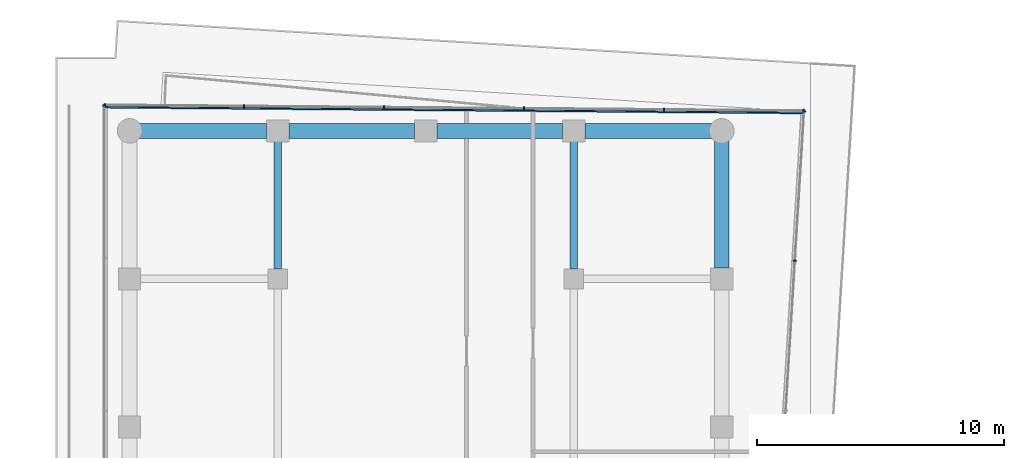
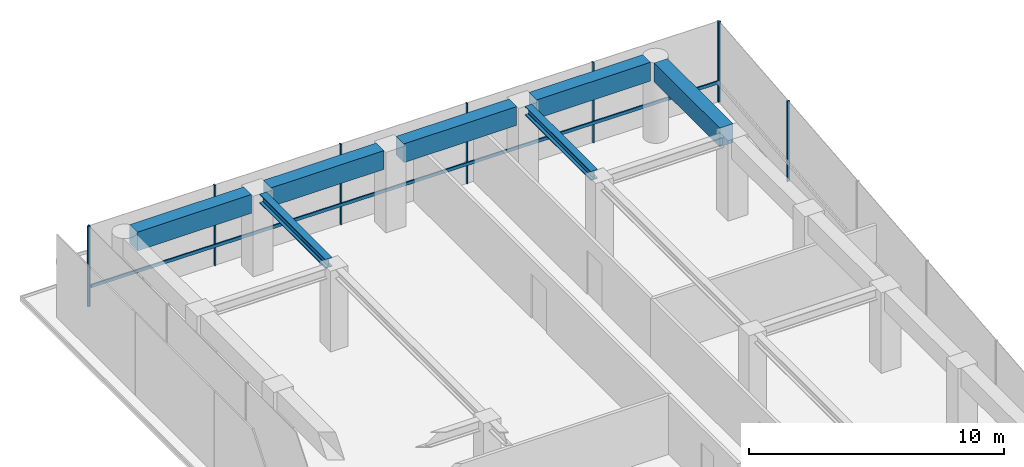
# One storey, part 18 of 24: 10 members, 7 beams, 3 elements without a shape of their own.
"""IFC4 building model written with IfcOpenShell, lengths in metres."""

import ifcopenshell
import ifcopenshell.guid

model = None  # the IFC model being written
_history = None  # IfcOwnerHistory: only IFC2X3 demands one
_inside = {}  # id of a spatial element -> (the spatial element, [elements in it])
_under = {}  # id of a project, library or spatial element -> (it, [spatial elements below it])
_declared = {}  # id of a project -> (the project, [libraries it declares])
_typed = {}  # id of a type object -> (the type object, [elements of that type])
_made_of = {}  # id of a material, layer set ... -> (it, [elements and type objects made of it])


def new_model(schema):
    """Start an empty IFC model of exactly this schema.

    Asked for "IFC4X3", IfcOpenShell would pick the latest addendum, in which some entities
    have other attributes; the version numbers below select the first issue.
    IFC2X3 requires an IfcOwnerHistory on every rooted entity: one is made here for all.
    """
    global model, _history
    if schema == "IFC4X3":
        model = ifcopenshell.file(schema_version=(4, 3, 0, 0))
    else:
        model = ifcopenshell.file(schema=schema)
    _inside.clear()
    _under.clear()
    _declared.clear()
    _typed.clear()
    _made_of.clear()
    _history = None
    if model.schema == "IFC2X3":
        org = make("IfcOrganization", Name="unknown")
        user = make(
            "IfcPersonAndOrganization",
            ThePerson=make("IfcPerson", FamilyName="unknown"),
            TheOrganization=org,
        )
        app = make(
            "IfcApplication",
            ApplicationDeveloper=org,
            Version="unknown",
            ApplicationFullName="unknown",
            ApplicationIdentifier="unknown",
        )
        _history = make(
            "IfcOwnerHistory",
            OwningUser=user,
            OwningApplication=app,
            ChangeAction="ADDED",
            CreationDate=0,
        )
    return model


def make(cls, **values):
    """One entity of the class cls with the attributes given. An attribute that is None is left unset."""
    return model.create_entity(
        cls, **{name: value for name, value in values.items() if value is not None}
    )


def rooted(cls, **values):
    """An entity with a GlobalId (a new one), such as an element, a storey or a relation."""
    return make(cls, GlobalId=ifcopenshell.guid.new(), OwnerHistory=_history, **values)


def si_unit(unit_type, name, prefix=None):
    """IfcSIUnit, for example si_unit("LENGTHUNIT", "METRE", prefix="MILLI")."""
    return make("IfcSIUnit", UnitType=unit_type, Prefix=prefix, Name=name)


def assignment(units):
    """IfcUnitAssignment: the units of a project."""
    return None if units is None else make("IfcUnitAssignment", Units=units)


def point(xyz):
    """IfcCartesianPoint."""
    return None if xyz is None else make("IfcCartesianPoint", Coordinates=xyz)


def direction(xyz):
    """IfcDirection."""
    return None if xyz is None else make("IfcDirection", DirectionRatios=xyz)


def frame(location, z_axis=None, x_axis=None):
    """IfcAxis2Placement3D, a coordinate frame: its origin and axes. An axis left out is left unset."""
    return make(
        "IfcAxis2Placement3D",
        Location=point(location),
        Axis=direction(z_axis),
        RefDirection=direction(x_axis),
    )


def frame_2d(location, x_axis=None):
    """IfcAxis2Placement2D, a coordinate frame in the plane: its origin and x axis."""
    return make(
        "IfcAxis2Placement2D", Location=point(location), RefDirection=direction(x_axis)
    )


def origin():
    """The frame at (0, 0, 0) with its axes left unset."""
    return frame((0.0, 0.0, 0.0))


def origin_2d():
    """The frame at (0, 0) in the plane with its x axis left unset."""
    return frame_2d((0.0, 0.0))


def place(relative_to, where):
    """IfcLocalPlacement: puts the frame where relative to a parent placement (None: the world)."""
    return make(
        "IfcLocalPlacement", PlacementRelTo=relative_to, RelativePlacement=where
    )


def context(
    kind, dimensions, precision=None, world=None, true_north=None, identifier=None
):
    """IfcGeometricRepresentationContext, for example the 3D "Model" context."""
    return make(
        "IfcGeometricRepresentationContext",
        ContextIdentifier=identifier,
        ContextType=kind,
        CoordinateSpaceDimension=dimensions,
        Precision=precision,
        WorldCoordinateSystem=world,
        TrueNorth=true_north,
    )


def subcontext(parent, identifier, kind, view, scale=None):
    """IfcGeometricRepresentationSubContext, for example "Body" below "Model"."""
    return make(
        "IfcGeometricRepresentationSubContext",
        ContextIdentifier=identifier,
        ContextType=kind,
        ParentContext=parent,
        TargetScale=scale,
        TargetView=view,
    )


def project(units=None, contexts=None):
    """IfcProject with its units and contexts."""
    return rooted(
        "IfcProject",
        Name="project",
        RepresentationContexts=contexts,
        UnitsInContext=assignment(units),
    )


def spatial(cls, under=None, at=None, **own):
    """A site, building, storey or space (cls), placed at a placement, below another one or the project."""
    s = rooted(cls, ObjectPlacement=at, **own)
    if under is not None:
        _under.setdefault(under.id(), (under, []))[1].append(s)
    return s


def profile(cls, at=None, kind="AREA", **sizes):
    """A parametric profile (cls). Its sizes go by their IFC names, for example OverallWidth=200.0."""
    return make(cls, ProfileType=kind, Position=at, **sizes)


def rectangle(**sizes):
    """IfcRectangleProfileDef."""
    return profile("IfcRectangleProfileDef", **sizes)


def i_section(**sizes):
    """IfcIShapeProfileDef."""
    return profile("IfcIShapeProfileDef", **sizes)


def extrude(swept, where, along, depth):
    """IfcExtrudedAreaSolid: the profile swept, set in the frame where, extruded along a direction by depth."""
    return make(
        "IfcExtrudedAreaSolid",
        SweptArea=swept,
        Position=where,
        ExtrudedDirection=direction(along),
        Depth=depth,
    )


def shape(context_of_items, identifier, shape_type, items):
    """IfcShapeRepresentation: the items that make up one representation, for example the "Body"."""
    return make(
        "IfcShapeRepresentation",
        ContextOfItems=context_of_items,
        RepresentationIdentifier=identifier,
        RepresentationType=shape_type,
        Items=items,
    )


def material(Name=None, Category=None):
    """IfcMaterial."""
    return make("IfcMaterial", Name=Name, Category=Category)


def layer(
    of_material, thickness, ventilated=None, Name=None, Category=None, Priority=None
):
    """IfcMaterialLayer: one layer of a wall or slab, of a material (None: an air gap)."""
    return make(
        "IfcMaterialLayer",
        Material=of_material,
        LayerThickness=thickness,
        IsVentilated=ventilated,
        Name=Name,
        Category=Category,
        Priority=Priority,
    )


def layer_set(layers, Name=None):
    """IfcMaterialLayerSet."""
    return make("IfcMaterialLayerSet", MaterialLayers=layers, LayerSetName=Name)


def material_profile(
    of_material, cross_section, Name=None, Category=None, Priority=None
):
    """IfcMaterialProfile: a cross section and its material."""
    return make(
        "IfcMaterialProfile",
        Name=Name,
        Material=of_material,
        Profile=cross_section,
        Priority=Priority,
        Category=Category,
    )


def profile_set(profiles, Name=None, composite=None):
    """IfcMaterialProfileSet."""
    return make(
        "IfcMaterialProfileSet",
        Name=Name,
        MaterialProfiles=profiles,
        CompositeProfile=composite,
    )


def made_of(thing, what):
    """Note that an element or type object is made of a material, layer set ...; save() writes the relation."""
    if what is not None:
        _made_of.setdefault(what.id(), (what, []))[1].append(thing)
    return thing


def type_object(cls, material=None, **own):
    """A type object (cls), such as IfcWallType, which elements share."""
    return made_of(rooted(cls, **own), material)


def element(
    cls,
    number,
    at=None,
    inside=None,
    cuts=None,
    type_object=None,
    material=None,
    context=None,
    identifier="Body",
    shape_type=None,
    held_by="IfcProductDefinitionShape",
    body=None,
    shapes=None,
    **own,
):
    """One element of the class cls, such as IfcWall. Its Tag is "e" and its number.

    at: its placement. inside: the storey or other place that contains it. cuts: it is an
    opening in that element (IfcRelVoidsElement). A single representation is given by context,
    identifier, shape_type and body (its items); several are given by shapes. held_by: the class
    of the entity that holds the representations. save() writes the other relations.
    """
    e = rooted(cls, Tag="e%d" % number, ObjectPlacement=at, **own)
    if body is not None:
        shapes = [shape(context, identifier, shape_type, body)]
    if shapes is not None:
        e.Representation = make(held_by, Representations=shapes)
    if inside is not None:
        _inside.setdefault(inside.id(), (inside, []))[1].append(e)
    if cuts is not None:
        rooted(
            "IfcRelVoidsElement", RelatingBuildingElement=cuts, RelatedOpeningElement=e
        )
    if type_object is not None:
        _typed.setdefault(type_object.id(), (type_object, []))[1].append(e)
    return made_of(e, material)


def aggregate(whole, parts):
    """IfcRelAggregates: a whole, such as a stair, and the parts it consists of."""
    return rooted("IfcRelAggregates", RelatingObject=whole, RelatedObjects=parts)


def save(model, path):
    """Write the relations noted so far, then the file.

    IfcRelAggregates (storeys below a building ...), IfcRelContainedInSpatialStructure (elements
    in a storey), IfcRelDefinesByType, IfcRelAssociatesMaterial and IfcRelDeclares: one each for
    every whole, place, type object, material and project.
    """
    for whole, parts in _under.values():
        aggregate(whole, parts)
    for where, things in _inside.values():
        rooted(
            "IfcRelContainedInSpatialStructure",
            RelatedElements=things,
            RelatingStructure=where,
        )
    for kind, things in _typed.values():
        rooted("IfcRelDefinesByType", RelatedObjects=things, RelatingType=kind)
    for what, things in _made_of.values():
        rooted("IfcRelAssociatesMaterial", RelatedObjects=things, RelatingMaterial=what)
    for by, libraries in _declared.values():
        rooted("IfcRelDeclares", RelatingContext=by, RelatedDefinitions=libraries)
    model.write(path)


model = new_model("IFC4")

# Units and contexts
model_context = context("Model", 3, precision=1e-05, world=origin(), true_north=direction((0.0, 1.0)))
body_context = subcontext(model_context, "Body", "Model", "MODEL_VIEW")
ifc_project = project(units=[si_unit("LENGTHUNIT", "METRE"), si_unit("AREAUNIT", "SQUARE_METRE"), si_unit("VOLUMEUNIT", "CUBIC_METRE"), si_unit("PLANEANGLEUNIT", "RADIAN"), si_unit("MASSUNIT", "GRAM", prefix="KILO")], contexts=[model_context])

# Site, building, storey
site_placement = place(None, origin())
site = spatial("IfcSite", under=ifc_project, at=site_placement, CompositionType="ELEMENT")
building_placement = place(site_placement, origin())
building = spatial("IfcBuilding", under=site, at=building_placement, Name="Welwitschia Terrace Campus", CompositionType="ELEMENT")
storey_placement = place(building_placement, frame((0.0, 0.0, 125.60009765625)))
storey = spatial("IfcBuildingStorey", under=building, at=storey_placement, Name="L28", CompositionType="ELEMENT", Elevation=125.60009765625)

# Beams
ifc_material_1 = material(Name="Steel S355", Category="steel")
ifc_material_profile_1 = material_profile(ifc_material_1, i_section(OverallWidth=0.306884765625, OverallDepth=0.431884765625, WebThickness=0.02099609375, FlangeThickness=0.0400390625, FilletRadius=0.027099609375, at=origin_2d()))
ifc_profile_set_1 = profile_set([ifc_material_profile_1], Name="Steel S355")
beam_type_1 = type_object("IfcBeamType", Name="Interior girder HE 400 M", PredefinedType="BEAM", material=ifc_profile_set_1)
for number, where, z_axis, x_axis, name in (
    (1, (6.0, 64.400390625, 3.6337890625), (0.0, 1.0, 0.0), (-1.0, 0.0, 0.0), "Girder GB3"),
    (2, (18.0, 64.400390625, 3.6337890625), (0.0, 1.0, 0.0), (-1.0, 0.0, 0.0), "Girder GB3"),
):
    element("IfcBeam", number, at=place(storey_placement, frame(where, z_axis=z_axis, x_axis=x_axis)), inside=storey, type_object=beam_type_1, Name=name, PredefinedType="BEAM", context=body_context, shape_type="SweptSolid", body=[
        extrude(i_section(OverallWidth=0.306884765625, OverallDepth=0.431884765625, WebThickness=0.02099609375, FlangeThickness=0.0400390625, FilletRadius=0.027099609375, at=origin_2d()), origin(), (0.0, 0.0, 1.0), 5.1591796875),
    ])

# Curtain wall, members
ifc_material_2 = material(Name="Bronze anodised aluminium", Category="aluminium")
ifc_layer = layer(ifc_material_2, 0.1201171875)
ifc_layer_set = layer_set([ifc_layer], Name="Bronze anodised aluminium")
curtain_wall_type = type_object("IfcCurtainWallType", Name="Curtain wall CW2 tower 6000", PredefinedType="NOTDEFINED", material=ifc_layer_set)
curtain_wall_1_placement = place(storey_placement, origin())
curtain_wall_1 = element("IfcCurtainWall", 3, at=curtain_wall_1_placement, inside=storey, type_object=curtain_wall_type, Name="CW L28.10.0", PredefinedType="NOTDEFINED")
ifc_material_3 = material(Name="Bronze anodised aluminium", Category="aluminium")
ifc_material_profile_2 = material_profile(ifc_material_3, rectangle(XDim=0.1201171875, YDim=0.06005859375, at=origin_2d()))
ifc_profile_set_2 = profile_set([ifc_material_profile_2], Name="Bronze anodised aluminium")
member_type_1 = type_object("IfcMemberType", Name="Mullion 60x120", PredefinedType="MULLION", material=ifc_profile_set_2)
member_1_placement = place(storey_placement, frame((26.964599609375, 64.73828125, 0.0), z_axis=(0.0, 0.0, 1.0), x_axis=(-0.998134798422, 0.061048539535, 0.0)))
member_1 = element("IfcMember", 4, at=member_1_placement, type_object=member_type_1, Name="Mullion L28.10.0.5", PredefinedType="MULLION", context=body_context, shape_type="SweptSolid", body=[
    extrude(rectangle(XDim=0.1201171875, YDim=0.06005859375, at=origin_2d()), origin(), (0.0, 0.0, 1.0), 3.849853515625),
])
member_2_placement = place(storey_placement, frame((27.33447265625, 70.785888671875, 0.0), z_axis=(0.0, 0.0, 1.0), x_axis=(-0.998134798422, 0.061048539535, 0.0)))
member_2 = element("IfcMember", 5, at=member_2_placement, type_object=member_type_1, Name="Mullion L28.10.0.6", PredefinedType="MULLION", context=body_context, shape_type="SweptSolid", body=[
    extrude(rectangle(XDim=0.1201171875, YDim=0.06005859375, at=origin_2d()), origin(), (0.0, 0.0, 1.0), 3.849853515625),
])
aggregate(curtain_wall_1, [member_1, member_2])

curtain_wall_2_placement = place(storey_placement, origin())
curtain_wall_2 = element("IfcCurtainWall", 6, at=curtain_wall_2_placement, inside=storey, type_object=curtain_wall_type, Name="CW L28.11.0", PredefinedType="NOTDEFINED")
member_3_placement = place(storey_placement, frame((27.306396484375, 70.816162109375, 0.0), z_axis=(0.0, 0.0, 1.0), x_axis=(-0.008205272491, -0.999966336185, 0.0)))
member_3 = element("IfcMember", 7, at=member_3_placement, type_object=member_type_1, Name="Mullion L28.11.0.0", PredefinedType="MULLION", context=body_context, shape_type="SweptSolid", body=[
    extrude(rectangle(XDim=0.1201171875, YDim=0.06005859375, at=origin_2d()), origin(), (0.0, 0.0, 1.0), 3.849853515625),
])
member_4_placement = place(storey_placement, frame((21.6630859375, 70.8623046875, 0.0), z_axis=(0.0, 0.0, 1.0), x_axis=(-0.008205272491, -0.999966336185, 0.0)))
member_4 = element("IfcMember", 8, at=member_4_placement, type_object=member_type_1, Name="Mullion L28.11.0.1", PredefinedType="MULLION", context=body_context, shape_type="SweptSolid", body=[
    extrude(rectangle(XDim=0.1201171875, YDim=0.06005859375, at=origin_2d()), origin(), (0.0, 0.0, 1.0), 3.849853515625),
])
member_5_placement = place(storey_placement, frame((15.98974609375, 70.908935546875, 0.0), z_axis=(0.0, 0.0, 1.0), x_axis=(-0.008205272491, -0.999966336185, 0.0)))
member_5 = element("IfcMember", 9, at=member_5_placement, type_object=member_type_1, Name="Mullion L28.11.0.2", PredefinedType="MULLION", context=body_context, shape_type="SweptSolid", body=[
    extrude(rectangle(XDim=0.1201171875, YDim=0.06005859375, at=origin_2d()), origin(), (0.0, 0.0, 1.0), 3.849853515625),
])
member_6_placement = place(storey_placement, frame((10.31640625, 70.95556640625, 0.0), z_axis=(0.0, 0.0, 1.0), x_axis=(-0.008205272491, -0.999966336185, 0.0)))
member_6 = element("IfcMember", 10, at=member_6_placement, type_object=member_type_1, Name="Mullion L28.11.0.3", PredefinedType="MULLION", context=body_context, shape_type="SweptSolid", body=[
    extrude(rectangle(XDim=0.1201171875, YDim=0.06005859375, at=origin_2d()), origin(), (0.0, 0.0, 1.0), 3.849853515625),
])
member_7_placement = place(storey_placement, frame((4.643310546875, 71.002197265625, 0.0), z_axis=(0.0, 0.0, 1.0), x_axis=(-0.008205272491, -0.999966336185, 0.0)))
member_7 = element("IfcMember", 11, at=member_7_placement, type_object=member_type_1, Name="Mullion L28.11.0.4", PredefinedType="MULLION", context=body_context, shape_type="SweptSolid", body=[
    extrude(rectangle(XDim=0.1201171875, YDim=0.06005859375, at=origin_2d()), origin(), (0.0, 0.0, 1.0), 3.849853515625),
])
member_8_placement = place(storey_placement, frame((-1.0, 71.04833984375, 0.0), z_axis=(0.0, 0.0, 1.0), x_axis=(-0.008205272491, -0.999966336185, 0.0)))
member_8 = element("IfcMember", 12, at=member_8_placement, type_object=member_type_1, Name="Mullion L28.11.0.5", PredefinedType="MULLION", context=body_context, shape_type="SweptSolid", body=[
    extrude(rectangle(XDim=0.1201171875, YDim=0.06005859375, at=origin_2d()), origin(), (0.0, 0.0, 1.0), 3.849853515625),
])

# Curtain wall, member
curtain_wall_3_placement = place(storey_placement, origin())
curtain_wall_3 = element("IfcCurtainWall", 13, at=curtain_wall_3_placement, inside=storey, type_object=curtain_wall_type, Name="CW L28.12.0", PredefinedType="NOTDEFINED")
member_9_placement = place(storey_placement, frame((-1.030029296875, 71.0185546875, 0.0), z_axis=(0.0, 0.0, 1.0), x_axis=(1.0, 0.0, 0.0)))
member_9 = element("IfcMember", 14, at=member_9_placement, type_object=member_type_1, Name="Mullion L28.12.0.0", PredefinedType="MULLION", context=body_context, shape_type="SweptSolid", body=[
    extrude(rectangle(XDim=0.1201171875, YDim=0.06005859375, at=origin_2d()), origin(), (0.0, 0.0, 1.0), 3.849853515625),
])
aggregate(curtain_wall_3, [member_9])

# Beams
ifc_material_4 = material(Name="Concrete C60/75", Category="concrete")
ifc_material_profile_3 = material_profile(ifc_material_4, rectangle(XDim=0.60009765625, YDim=0.89990234375, at=origin_2d()))
ifc_profile_set_3 = profile_set([ifc_material_profile_3], Name="Concrete C60/75")
beam_type_2 = type_object("IfcBeamType", Name="Ring spandrel 600x900", PredefinedType="SPANDREL", material=ifc_profile_set_3)
for number, where, z_axis, x_axis, name in (
    (15, (24.0, 64.450439453125, 3.39990234375), (0.0, 1.0, 0.0), (-1.0, 0.0, 0.0), "Spandrel SP2"),
    (16, (23.599609375, 70.0, 3.39990234375), (-1.0, 0.0, 0.0), (0.0, -1.0, 0.0), "Spandrel SP2"),
):
    element("IfcBeam", number, at=place(storey_placement, frame(where, z_axis=z_axis, x_axis=x_axis)), inside=storey, type_object=beam_type_2, Name=name, PredefinedType="SPANDREL", context=body_context, shape_type="SweptSolid", body=[
        extrude(rectangle(XDim=0.60009765625, YDim=0.89990234375, at=origin_2d()), origin(), (0.0, 0.0, 1.0), 5.149169921875),
    ])
for number, where, z_axis, x_axis, name in (
    (17, (17.549560546875, 70.0, 3.39990234375), (-1.0, 0.0, 0.0), (0.0, -1.0, 0.0), "Spandrel SP2"),
    (18, (11.549560546875, 70.0, 3.39990234375), (-1.0, 0.0, 0.0), (0.0, -1.0, 0.0), "Spandrel SP2"),
):
    element("IfcBeam", number, at=place(storey_placement, frame(where, z_axis=z_axis, x_axis=x_axis)), inside=storey, type_object=beam_type_2, Name=name, PredefinedType="SPANDREL", context=body_context, shape_type="SweptSolid", body=[
        extrude(rectangle(XDim=0.60009765625, YDim=0.89990234375, at=origin_2d()), origin(), (0.0, 0.0, 1.0), 5.09912109375),
    ])
beam_placement = place(storey_placement, frame((5.549560546875, 70.0, 3.39990234375), z_axis=(-1.0, 0.0, 0.0), x_axis=(0.0, -1.0, 0.0)))
element("IfcBeam", 19, at=beam_placement, inside=storey, type_object=beam_type_2, Name="Spandrel SP2", PredefinedType="SPANDREL", context=body_context, shape_type="SweptSolid", body=[
    extrude(rectangle(XDim=0.60009765625, YDim=0.89990234375, at=origin_2d()), origin(), (0.0, 0.0, 1.0), 5.149169921875),
])

# Member
ifc_material_5 = material(Name="Bronze anodised aluminium", Category="aluminium")
ifc_material_profile_4 = material_profile(ifc_material_5, rectangle(XDim=0.06005859375, YDim=0.14990234375, at=origin_2d()))
ifc_profile_set_4 = profile_set([ifc_material_profile_4], Name="Bronze anodised aluminium")
member_type_2 = type_object("IfcMemberType", Name="Transom 60x150", PredefinedType="USERDEFINED", material=ifc_profile_set_4)
member_10_placement = place(storey_placement, frame((27.275634765625, 70.726318359375, 1.0), z_axis=(-0.999966290597, 0.008210826349, 0.0), x_axis=(-0.008210826349, -0.999966290597, 0.0)))
member_10 = element("IfcMember", 20, at=member_10_placement, type_object=member_type_2, Name="Transom L28.11.0", ObjectType="TRANSOM", PredefinedType="USERDEFINED", context=body_context, shape_type="SweptSolid", body=[
    extrude(rectangle(XDim=0.06005859375, YDim=0.14990234375, at=origin_2d()), origin(), (0.0, 0.0, 1.0), 28.247314453125),
])

aggregate(curtain_wall_2, [member_3, member_4, member_5, member_6, member_7, member_8, member_10])

save(model, "model.ifc")
